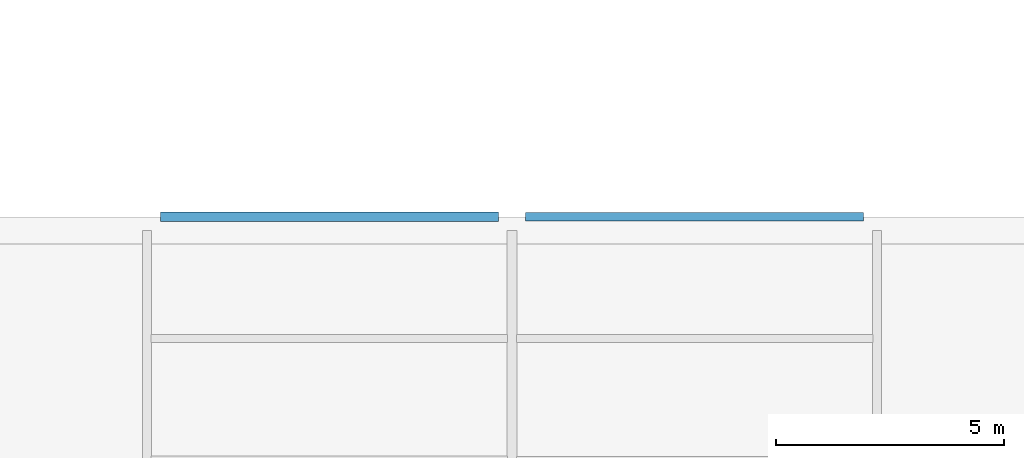
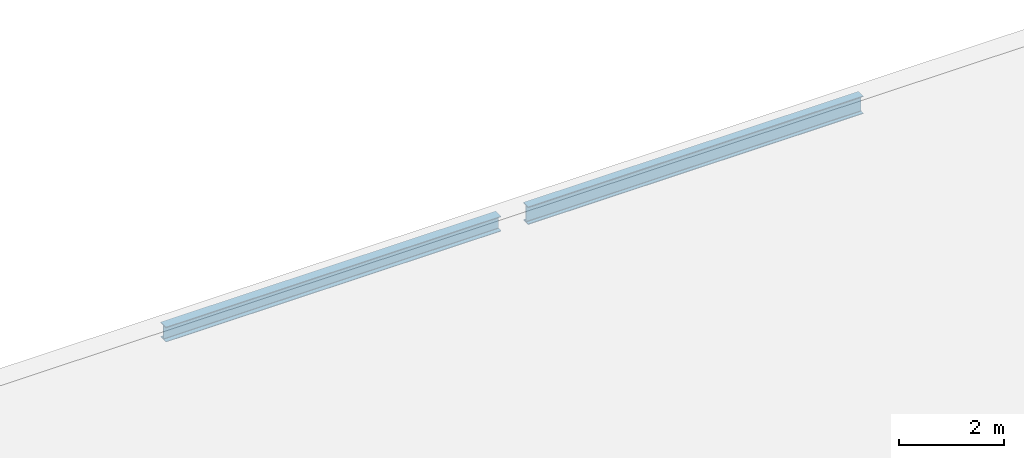
# One storey, part 44 of 126: 2 beams.
"""IFC4 building model written with IfcOpenShell, lengths in metres."""

from ifc_helpers import new_model, si_unit, derived_unit, direction, frame, origin, origin_2d, place, context, subcontext, project, spatial, i_section, extrude, material, material_profile, profile_set, type_object, element, save


model = new_model("IFC4")

# Units and contexts
model_context = context("Model", 3, precision=1e-05, world=origin(), true_north=direction((0.0, 1.0)))
body_context = subcontext(model_context, "Body", "Model", "MODEL_VIEW")
ifc_project = project(units=[si_unit("LENGTHUNIT", "METRE"), si_unit("AREAUNIT", "SQUARE_METRE"), si_unit("VOLUMEUNIT", "CUBIC_METRE"), si_unit("PLANEANGLEUNIT", "RADIAN"), si_unit("MASSUNIT", "GRAM", prefix="KILO"), derived_unit("THERMALTRANSMITTANCEUNIT", [(si_unit("MASSUNIT", "GRAM", prefix="KILO"), 1), (si_unit("TIMEUNIT", "SECOND"), -3), (si_unit("THERMODYNAMICTEMPERATUREUNIT", "KELVIN"), -1)])], contexts=[model_context])

# Site, building, storey
site_placement = place(None, origin())
site = spatial("IfcSite", under=ifc_project, at=site_placement, CompositionType="ELEMENT")
building_placement = place(site_placement, origin())
building = spatial("IfcBuilding", under=site, at=building_placement, Name="Veyamyaing Civic Hall", CompositionType="ELEMENT")
storey_placement = place(building_placement, frame((0.0, 0.0, 9.89990234375)))
storey = spatial("IfcBuildingStorey", under=building, at=storey_placement, Name="L02", CompositionType="ELEMENT", Elevation=9.89990234375)

# Beams
ifc_material = material(Name="Steel ASTM A992", Category="steel")
ifc_material_profile_1 = material_profile(ifc_material, i_section(OverallWidth=0.2041015625, OverallDepth=0.35009765625, WebThickness=0.0078125, FlangeThickness=0.01513671875, FilletRadius=0.010009765625, at=origin_2d()), Name="W360X72")
ifc_profile_set_1 = profile_set([ifc_material_profile_1], Name="Steel ASTM A992")
beam_type_1 = type_object("IfcBeamType", Name="B-11", PredefinedType="SPANDREL", material=ifc_profile_set_1)
beam_1_placement = place(storey_placement, frame((80.300048828125, 96.0, -0.414794921875), z_axis=(1.0, 0.0, 0.0), x_axis=(0.0, 1.0, 0.0)))
element("IfcBeam", 1, at=beam_1_placement, inside=storey, type_object=beam_type_1, Name="Girder B-11 L02 Grid N 11-12", PredefinedType="SPANDREL", context=body_context, shape_type="SweptSolid", body=[
    extrude(i_section(OverallWidth=0.2041015625, OverallDepth=0.35009765625, WebThickness=0.0078125, FlangeThickness=0.01513671875, FilletRadius=0.010009765625, at=origin_2d()), origin(), (0.0, 0.0, 1.0), 7.39990234375),
])
ifc_material_profile_2 = material_profile(ifc_material, i_section(OverallWidth=0.180908203125, OverallDepth=0.4169921875, WebThickness=0.010986328125, FlangeThickness=0.018310546875, FilletRadius=0.010009765625, at=origin_2d()), Name="W410X85")
ifc_profile_set_2 = profile_set([ifc_material_profile_2], Name="Steel ASTM A992")
beam_type_2 = type_object("IfcBeamType", Name="B-19", PredefinedType="SPANDREL", material=ifc_profile_set_2)
beam_2_placement = place(storey_placement, frame((88.300048828125, 96.0, -0.448486328125), z_axis=(1.0, 0.0, 0.0), x_axis=(0.0, 1.0, 0.0)))
element("IfcBeam", 2, at=beam_2_placement, inside=storey, type_object=beam_type_2, Name="Girder B-19 L02 Grid N 12-13", PredefinedType="SPANDREL", context=body_context, shape_type="SweptSolid", body=[
    extrude(i_section(OverallWidth=0.180908203125, OverallDepth=0.4169921875, WebThickness=0.010986328125, FlangeThickness=0.018310546875, FilletRadius=0.010009765625, at=origin_2d()), origin(), (0.0, 0.0, 1.0), 7.39990234375),
])

save(model, "model.ifc")
